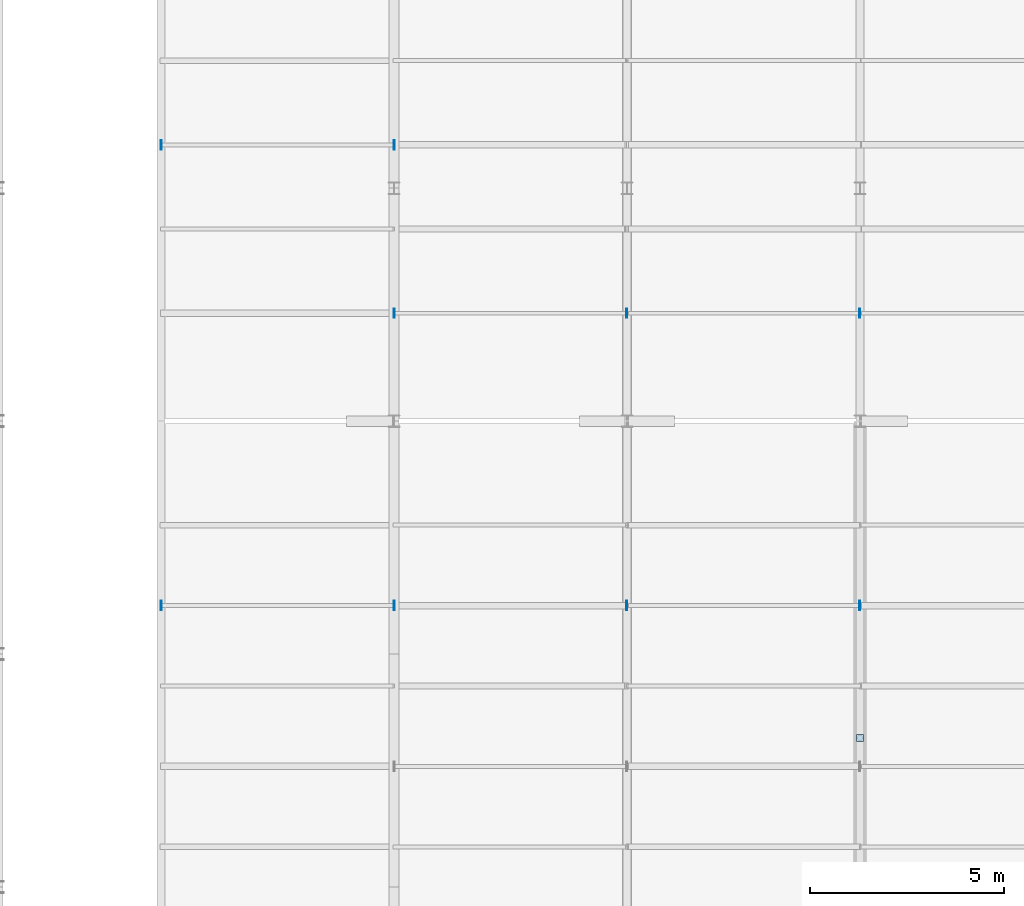
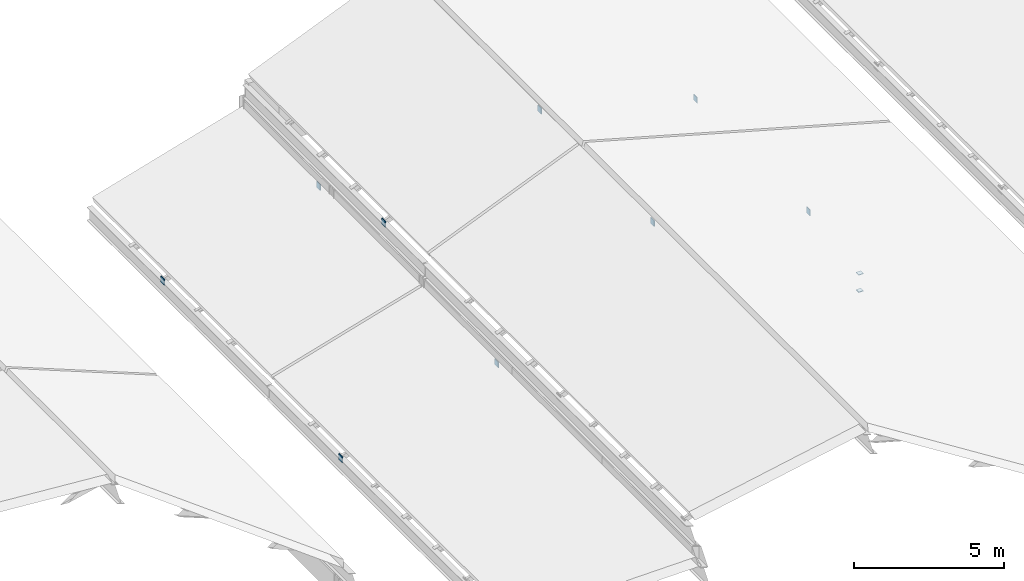
# One storey, part 47 of 74: 11 plates.
"""IFC4 building model written with IfcOpenShell, lengths in metres."""

import ifcopenshell
import ifcopenshell.guid

model = None  # the IFC model being written
_history = None  # IfcOwnerHistory: only IFC2X3 demands one
_inside = {}  # id of a spatial element -> (the spatial element, [elements in it])
_under = {}  # id of a project, library or spatial element -> (it, [spatial elements below it])
_declared = {}  # id of a project -> (the project, [libraries it declares])
_typed = {}  # id of a type object -> (the type object, [elements of that type])
_made_of = {}  # id of a material, layer set ... -> (it, [elements and type objects made of it])


def new_model(schema):
    """Start an empty IFC model of exactly this schema.

    Asked for "IFC4X3", IfcOpenShell would pick the latest addendum, in which some entities
    have other attributes; the version numbers below select the first issue.
    IFC2X3 requires an IfcOwnerHistory on every rooted entity: one is made here for all.
    """
    global model, _history
    if schema == "IFC4X3":
        model = ifcopenshell.file(schema_version=(4, 3, 0, 0))
    else:
        model = ifcopenshell.file(schema=schema)
    _inside.clear()
    _under.clear()
    _declared.clear()
    _typed.clear()
    _made_of.clear()
    _history = None
    if model.schema == "IFC2X3":
        org = make("IfcOrganization", Name="unknown")
        user = make(
            "IfcPersonAndOrganization",
            ThePerson=make("IfcPerson", FamilyName="unknown"),
            TheOrganization=org,
        )
        app = make(
            "IfcApplication",
            ApplicationDeveloper=org,
            Version="unknown",
            ApplicationFullName="unknown",
            ApplicationIdentifier="unknown",
        )
        _history = make(
            "IfcOwnerHistory",
            OwningUser=user,
            OwningApplication=app,
            ChangeAction="ADDED",
            CreationDate=0,
        )
    return model


def make(cls, **values):
    """One entity of the class cls with the attributes given. An attribute that is None is left unset."""
    return model.create_entity(
        cls, **{name: value for name, value in values.items() if value is not None}
    )


def rooted(cls, **values):
    """An entity with a GlobalId (a new one), such as an element, a storey or a relation."""
    return make(cls, GlobalId=ifcopenshell.guid.new(), OwnerHistory=_history, **values)


def si_unit(unit_type, name, prefix=None):
    """IfcSIUnit, for example si_unit("LENGTHUNIT", "METRE", prefix="MILLI")."""
    return make("IfcSIUnit", UnitType=unit_type, Prefix=prefix, Name=name)


def assignment(units):
    """IfcUnitAssignment: the units of a project."""
    return None if units is None else make("IfcUnitAssignment", Units=units)


def point(xyz):
    """IfcCartesianPoint."""
    return None if xyz is None else make("IfcCartesianPoint", Coordinates=xyz)


def direction(xyz):
    """IfcDirection."""
    return None if xyz is None else make("IfcDirection", DirectionRatios=xyz)


def frame(location, z_axis=None, x_axis=None):
    """IfcAxis2Placement3D, a coordinate frame: its origin and axes. An axis left out is left unset."""
    return make(
        "IfcAxis2Placement3D",
        Location=point(location),
        Axis=direction(z_axis),
        RefDirection=direction(x_axis),
    )


def frame_2d(location, x_axis=None):
    """IfcAxis2Placement2D, a coordinate frame in the plane: its origin and x axis."""
    return make(
        "IfcAxis2Placement2D", Location=point(location), RefDirection=direction(x_axis)
    )


def origin():
    """The frame at (0, 0, 0) with its axes left unset."""
    return frame((0.0, 0.0, 0.0))


def origin_2d():
    """The frame at (0, 0) in the plane with its x axis left unset."""
    return frame_2d((0.0, 0.0))


def place(relative_to, where):
    """IfcLocalPlacement: puts the frame where relative to a parent placement (None: the world)."""
    return make(
        "IfcLocalPlacement", PlacementRelTo=relative_to, RelativePlacement=where
    )


def context(
    kind, dimensions, precision=None, world=None, true_north=None, identifier=None
):
    """IfcGeometricRepresentationContext, for example the 3D "Model" context."""
    return make(
        "IfcGeometricRepresentationContext",
        ContextIdentifier=identifier,
        ContextType=kind,
        CoordinateSpaceDimension=dimensions,
        Precision=precision,
        WorldCoordinateSystem=world,
        TrueNorth=true_north,
    )


def subcontext(parent, identifier, kind, view, scale=None):
    """IfcGeometricRepresentationSubContext, for example "Body" below "Model"."""
    return make(
        "IfcGeometricRepresentationSubContext",
        ContextIdentifier=identifier,
        ContextType=kind,
        ParentContext=parent,
        TargetScale=scale,
        TargetView=view,
    )


def project(units=None, contexts=None):
    """IfcProject with its units and contexts."""
    return rooted(
        "IfcProject",
        Name="project",
        RepresentationContexts=contexts,
        UnitsInContext=assignment(units),
    )


def spatial(cls, under=None, at=None, **own):
    """A site, building, storey or space (cls), placed at a placement, below another one or the project."""
    s = rooted(cls, ObjectPlacement=at, **own)
    if under is not None:
        _under.setdefault(under.id(), (under, []))[1].append(s)
    return s


def profile(cls, at=None, kind="AREA", **sizes):
    """A parametric profile (cls). Its sizes go by their IFC names, for example OverallWidth=200.0."""
    return make(cls, ProfileType=kind, Position=at, **sizes)


def rectangle(**sizes):
    """IfcRectangleProfileDef."""
    return profile("IfcRectangleProfileDef", **sizes)


def extrude(swept, where, along, depth):
    """IfcExtrudedAreaSolid: the profile swept, set in the frame where, extruded along a direction by depth."""
    return make(
        "IfcExtrudedAreaSolid",
        SweptArea=swept,
        Position=where,
        ExtrudedDirection=direction(along),
        Depth=depth,
    )


def shape(context_of_items, identifier, shape_type, items):
    """IfcShapeRepresentation: the items that make up one representation, for example the "Body"."""
    return make(
        "IfcShapeRepresentation",
        ContextOfItems=context_of_items,
        RepresentationIdentifier=identifier,
        RepresentationType=shape_type,
        Items=items,
    )


def material(Name=None, Category=None):
    """IfcMaterial."""
    return make("IfcMaterial", Name=Name, Category=Category)


def layer(
    of_material, thickness, ventilated=None, Name=None, Category=None, Priority=None
):
    """IfcMaterialLayer: one layer of a wall or slab, of a material (None: an air gap)."""
    return make(
        "IfcMaterialLayer",
        Material=of_material,
        LayerThickness=thickness,
        IsVentilated=ventilated,
        Name=Name,
        Category=Category,
        Priority=Priority,
    )


def layer_set(layers, Name=None):
    """IfcMaterialLayerSet."""
    return make("IfcMaterialLayerSet", MaterialLayers=layers, LayerSetName=Name)


def made_of(thing, what):
    """Note that an element or type object is made of a material, layer set ...; save() writes the relation."""
    if what is not None:
        _made_of.setdefault(what.id(), (what, []))[1].append(thing)
    return thing


def type_object(cls, material=None, **own):
    """A type object (cls), such as IfcWallType, which elements share."""
    return made_of(rooted(cls, **own), material)


def element(
    cls,
    number,
    at=None,
    inside=None,
    cuts=None,
    type_object=None,
    material=None,
    context=None,
    identifier="Body",
    shape_type=None,
    held_by="IfcProductDefinitionShape",
    body=None,
    shapes=None,
    **own,
):
    """One element of the class cls, such as IfcWall. Its Tag is "e" and its number.

    at: its placement. inside: the storey or other place that contains it. cuts: it is an
    opening in that element (IfcRelVoidsElement). A single representation is given by context,
    identifier, shape_type and body (its items); several are given by shapes. held_by: the class
    of the entity that holds the representations. save() writes the other relations.
    """
    e = rooted(cls, Tag="e%d" % number, ObjectPlacement=at, **own)
    if body is not None:
        shapes = [shape(context, identifier, shape_type, body)]
    if shapes is not None:
        e.Representation = make(held_by, Representations=shapes)
    if inside is not None:
        _inside.setdefault(inside.id(), (inside, []))[1].append(e)
    if cuts is not None:
        rooted(
            "IfcRelVoidsElement", RelatingBuildingElement=cuts, RelatedOpeningElement=e
        )
    if type_object is not None:
        _typed.setdefault(type_object.id(), (type_object, []))[1].append(e)
    return made_of(e, material)


def aggregate(whole, parts):
    """IfcRelAggregates: a whole, such as a stair, and the parts it consists of."""
    return rooted("IfcRelAggregates", RelatingObject=whole, RelatedObjects=parts)


def save(model, path):
    """Write the relations noted so far, then the file.

    IfcRelAggregates (storeys below a building ...), IfcRelContainedInSpatialStructure (elements
    in a storey), IfcRelDefinesByType, IfcRelAssociatesMaterial and IfcRelDeclares: one each for
    every whole, place, type object, material and project.
    """
    for whole, parts in _under.values():
        aggregate(whole, parts)
    for where, things in _inside.values():
        rooted(
            "IfcRelContainedInSpatialStructure",
            RelatedElements=things,
            RelatingStructure=where,
        )
    for kind, things in _typed.values():
        rooted("IfcRelDefinesByType", RelatedObjects=things, RelatingType=kind)
    for what, things in _made_of.values():
        rooted("IfcRelAssociatesMaterial", RelatedObjects=things, RelatingMaterial=what)
    for by, libraries in _declared.values():
        rooted("IfcRelDeclares", RelatingContext=by, RelatedDefinitions=libraries)
    model.write(path)


model = new_model("IFC4")

# Units and contexts
model_context = context("Model", 3, precision=1e-05, world=origin(), true_north=direction((0.0, 1.0)))
body_context = subcontext(model_context, "Body", "Model", "MODEL_VIEW")
ifc_project = project(units=[si_unit("LENGTHUNIT", "METRE"), si_unit("AREAUNIT", "SQUARE_METRE"), si_unit("VOLUMEUNIT", "CUBIC_METRE"), si_unit("PLANEANGLEUNIT", "RADIAN"), si_unit("MASSUNIT", "GRAM", prefix="KILO")], contexts=[model_context])

# Site, building, storey
site_placement = place(None, origin())
site = spatial("IfcSite", under=ifc_project, at=site_placement, CompositionType="ELEMENT")
building_placement = place(site_placement, origin())
building = spatial("IfcBuilding", under=site, at=building_placement, Name="Siltcreek Boulevard Central Fire Station", CompositionType="ELEMENT")
storey_placement = place(building_placement, frame((0.0, 0.0, 25.199951171875)))
storey = spatial("IfcBuildingStorey", under=building, at=storey_placement, Name="RF", CompositionType="ELEMENT", Elevation=25.199951171875)

# Plates
ifc_material = material(Name="Structural steel ASTM A572 Gr50", Category="steel")
ifc_layer = layer(ifc_material, 0.02490234375, Name="Structural steel ASTM A572 Gr50")
ifc_layer_set = layer_set([ifc_layer], Name="Structural steel ASTM A572 Gr50")
plate_type = type_object("IfcPlateType", Name="PL_CAP25", PredefinedType="USERDEFINED", material=ifc_layer_set)
for number, where, z_axis, x_axis, name in (
    (1, (42.0, 37.248291015625, -15.49853515625), (0.0, 0.0, 1.0), (1.0, 0.0, 0.0), "Sloped roof purlin PR-0015 sealed end cap 1"),
    (2, (48.0, 37.248291015625, -13.74853515625), (0.0, 0.0, 1.0), (1.0, 0.0, 0.0), "Sloped roof purlin PR-0015 sealed end cap 2"),
    (3, (42.0, 49.114013671875, -15.4775390625), (0.0, 0.0, 1.0), (1.0, 0.0, 0.0), "Sloped roof purlin PR-0019 sealed end cap 1"),
    (4, (48.0, 49.114013671875, -13.7275390625), (0.0, 0.0, 1.0), (1.0, 0.0, 0.0), "Sloped roof purlin PR-0019 sealed end cap 2"),
):
    element("IfcPlate", number, at=place(storey_placement, frame(where, z_axis=z_axis, x_axis=x_axis)), inside=storey, type_object=plate_type, Name=name, ObjectType="END CAP", PredefinedType="USERDEFINED", context=body_context, shape_type="SweptSolid", body=[
        extrude(rectangle(XDim=0.02490234375, YDim=0.239990234375, at=origin_2d()), origin(), (0.0, 0.0, 1.0), 0.239990234375),
    ])
for number, where, z_axis, x_axis, name in (
    (5, (60.0, 33.840087890625, -12.8095703125), (0.0, 0.0, 1.0), (1.0, 0.0, 0.0), "Roof truss web strut BR-043 sealed end cap 1"),
    (6, (60.0, 33.840087890625, -12.1083984375), (0.0, 0.0, 1.0), (1.0, 0.0, 0.0), "Roof truss web strut BR-043 sealed end cap 2"),
):
    element("IfcPlate", number, at=place(storey_placement, frame(where, z_axis=z_axis, x_axis=x_axis)), inside=storey, type_object=plate_type, Name=name, ObjectType="END CAP", PredefinedType="USERDEFINED", context=body_context, shape_type="SweptSolid", body=[
        extrude(rectangle(XDim=0.1796875, YDim=0.1796875, at=origin_2d()), origin(), (0.0, 0.0, 1.0), 0.02490234375),
    ])
for number, where, z_axis, x_axis, name in (
    (7, (54.0, 37.248291015625, -10.09716796875), (0.0, 0.0, 1.0), (1.0, 0.0, 0.0), "Sloped roof purlin PR-0051 sealed end cap 1"),
    (8, (60.0, 37.248291015625, -11.7724609375), (0.0, 0.0, 1.0), (1.0, 0.0, 0.0), "Sloped roof purlin PR-0051 sealed end cap 2"),
    (9, (48.000244140625, 44.778076171875, -12.59130859375), (0.0, 0.0, 1.0), (1.0, 0.0, 0.0), "Sloped roof purlin PR-0063 sealed end cap 1"),
    (10, (53.999755859375, 44.778076171875, -10.09130859375), (0.0, 0.0, 1.0), (1.0, 0.0, 0.0), "Sloped roof purlin PR-0063 sealed end cap 2"),
    (11, (60.0, 44.778076171875, -11.75146484375), (0.0, 0.0, 1.0), (1.0, 0.0, 0.0), "Sloped roof purlin PR-0067 sealed end cap 2"),
):
    element("IfcPlate", number, at=place(storey_placement, frame(where, z_axis=z_axis, x_axis=x_axis)), inside=storey, type_object=plate_type, Name=name, ObjectType="END CAP", PredefinedType="USERDEFINED", context=body_context, shape_type="SweptSolid", body=[
        extrude(rectangle(XDim=0.02490234375, YDim=0.239990234375, at=origin_2d()), origin(), (0.0, 0.0, 1.0), 0.239990234375),
    ])

save(model, "model.ifc")
